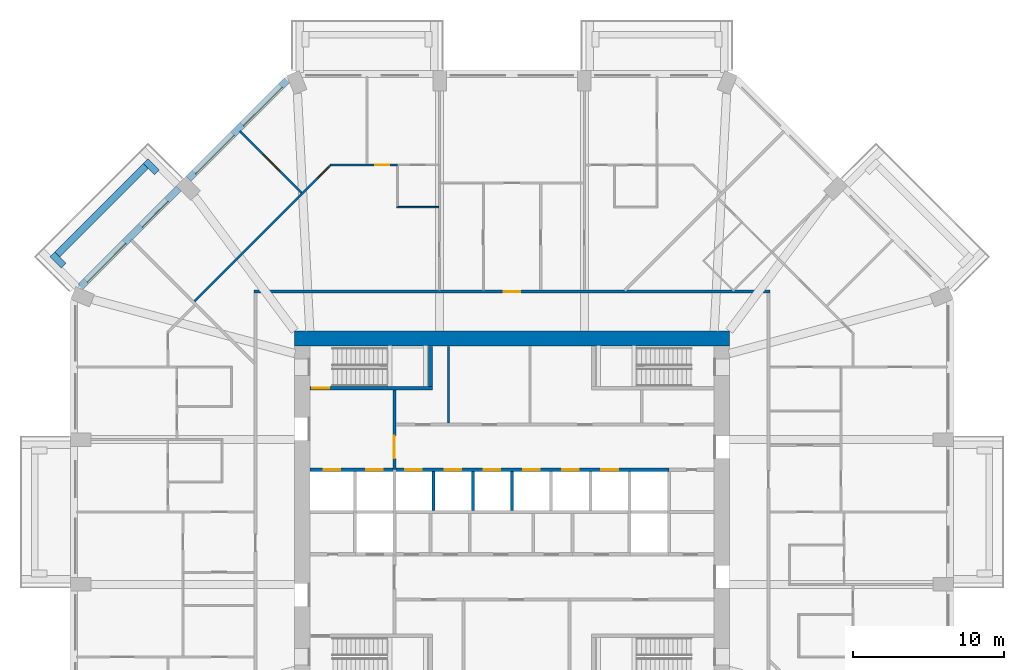
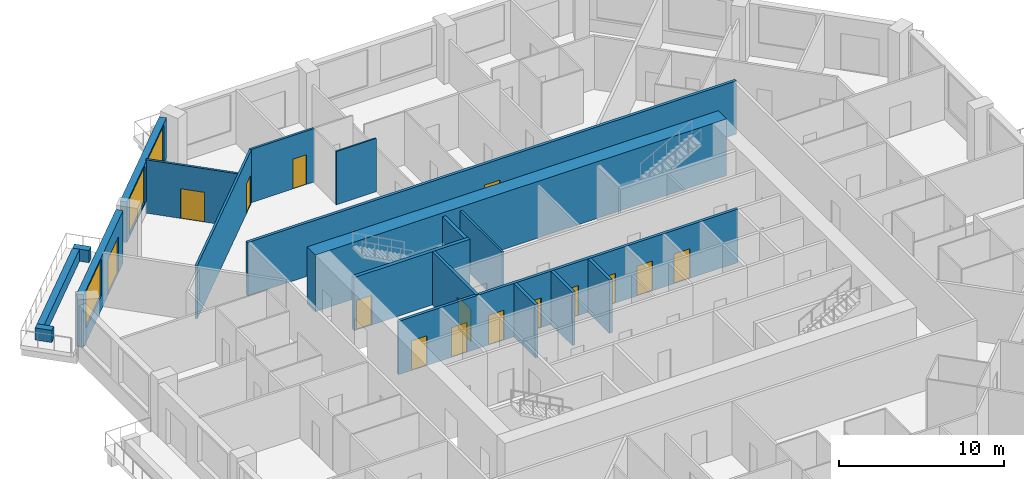
# One storey, part 8 of 13: 19 walls, 15 doors, 3 windows, 18 openings.
"""IFC4 building model written with IfcOpenShell, lengths in metres."""

from ifc_helpers import new_model, si_unit, direction, frame, frame_2d, origin, place, context, subcontext, project, spatial, rectangle, extrude, material, layer, layer_set, type_object, element, fill, save


model = new_model("IFC4")

# Units and contexts
model_context = context("Model", 3, precision=1e-05, world=origin(), true_north=direction((0.0, 1.0)))
body_context = subcontext(model_context, "Body", "Model", "MODEL_VIEW")
ifc_project = project(units=[si_unit("LENGTHUNIT", "METRE"), si_unit("AREAUNIT", "SQUARE_METRE"), si_unit("VOLUMEUNIT", "CUBIC_METRE"), si_unit("PLANEANGLEUNIT", "RADIAN"), si_unit("MASSUNIT", "GRAM", prefix="KILO")], contexts=[model_context])

# Site, building, storey
site_placement = place(None, origin())
site = spatial("IfcSite", under=ifc_project, at=site_placement, CompositionType="ELEMENT")
building_placement = place(site_placement, origin())
building = spatial("IfcBuilding", under=site, at=building_placement, Name="Msitu Wima Residences", CompositionType="ELEMENT")
storey_placement = place(building_placement, frame((0.0, 0.0, 71.699951171875)))
storey = spatial("IfcBuildingStorey", under=building, at=storey_placement, Name="L16", CompositionType="ELEMENT", Elevation=71.699951171875)

# Walls
ifc_material_1 = material(Name="Facing brick")
ifc_layer_1 = layer(ifc_material_1, 0.06494140625, Name="Facing brick")
ifc_material_2 = material(Name="Concrete C40/50", Category="concrete")
ifc_layer_2 = layer(ifc_material_2, 0.156005859375, Name="Concrete C40/50")
ifc_material_3 = material(Name="Waterproofing membrane")
ifc_layer_3 = layer(ifc_material_3, 0.00390625, Name="Waterproofing membrane")
ifc_material_4 = material(Name="Planting soil and planting")
ifc_layer_4 = layer(ifc_material_4, 0.22509765625, Name="Planting soil and planting")
ifc_layer_set_1 = layer_set([ifc_layer_1, ifc_layer_2, ifc_layer_3, ifc_layer_4], Name="Concrete C40/50")
wall_type_1 = type_object("IfcWallType", Name="Balcony planter PLANTER PL450", PredefinedType="USERDEFINED", material=ifc_layer_set_1)
wall_1_placement = place(storey_placement, frame((-24.269287109375, 22.92578125, 0.0), z_axis=(0.0, 0.0, 1.0), x_axis=(-0.707106781187, -0.707106781187, 0.0)))
element("IfcWall", 1, at=wall_1_placement, inside=storey, type_object=wall_type_1, Name="Balcony planter NW1 L16", ObjectType="PLANTER", PredefinedType="USERDEFINED", context=body_context, shape_type="SweptSolid", body=[
    extrude(rectangle(XDim=8.2822265625, YDim=0.449951171875, at=frame_2d((4.14111328125, 0.0))), origin(), (0.0, 0.0, 1.0), 0.900146484375),
])
for number, where, z_axis, x_axis, name in (
    (2, (-23.52685546875, 22.50146484375, 0.0), (0.0, 0.0, 1.0), (-0.706990528533, 0.707223014731, 0.0), "Balcony planter NW1 L16"),
    (3, (-29.70166015625, 16.326904296875, 0.0), (0.0, 0.0, 1.0), (-0.707106781187, 0.707106781187, 0.0), "Balcony planter NW1 L16"),
):
    element("IfcWall", number, at=place(storey_placement, frame(where, z_axis=z_axis, x_axis=x_axis)), inside=storey, type_object=wall_type_1, Name=name, ObjectType="PLANTER", PredefinedType="USERDEFINED", context=body_context, shape_type="SweptSolid", body=[
        extrude(rectangle(XDim=1.050048828125, YDim=0.449951171875, at=frame_2d((0.52490234375, 0.0))), origin(), (0.0, 0.0, 1.0), 0.900146484375),
    ])

# Wall, openings, windows
ifc_material_5 = material(Name="Brick (red buff mix)", Category="masonry")
ifc_layer_5 = layer(ifc_material_5, 0.449951171875)
ifc_layer_set_2 = layer_set([ifc_layer_5], Name="Brick (red buff mix)")
wall_type_2 = type_object("IfcWallType", Name="Brick infill wall BW450", PredefinedType="SOLIDWALL", material=ifc_layer_set_2)
wall_2_placement = place(storey_placement, frame((-14.903564453125, 28.61474609375, 0.900146484375), z_axis=(0.0, 0.0, 1.0), x_axis=(-0.707106781187, -0.707106781187, 0.0)))
wall_2 = element("IfcWall", 4, at=wall_2_placement, inside=storey, type_object=wall_type_2, Name="Brick infill wall L16 NW0", PredefinedType="SOLIDWALL", context=body_context, shape_type="SweptSolid", body=[
    extrude(rectangle(XDim=9.2451171875, YDim=0.449951171875, at=frame_2d((4.62255859375, 0.0))), origin(), (0.0, 0.0, 1.0), 3.0),
])
opening_1_placement = place(wall_2_placement, frame((0.572509765625, 0.0, 0.14990234375)))
opening_1 = element("IfcOpeningElement", 5, at=opening_1_placement, cuts=wall_2, Name="Opening W16-17.013", PredefinedType="OPENING", context=body_context, shape_type="SweptSolid", body=[
    extrude(rectangle(XDim=3.60009765625, YDim=2.699951171875, at=frame_2d((1.800048828125, 1.35009765625))), frame((0.0, 0.23486328125, 0.0), z_axis=(0.0, -1.0, 0.0), x_axis=(1.0, 0.0, 0.0)), (0.0, 0.0, 1.0), 0.469970703125),
])
opening_2_placement = place(wall_2_placement, frame((5.072509765625, 0.0, 0.14990234375)))
opening_2 = element("IfcOpeningElement", 6, at=opening_2_placement, cuts=wall_2, Name="Opening W16-17.014", PredefinedType="OPENING", context=body_context, shape_type="SweptSolid", body=[
    extrude(rectangle(XDim=3.60009765625, YDim=2.699951171875, at=frame_2d((1.800048828125, 1.35009765625))), frame((0.0, 0.23486328125, 0.0), z_axis=(0.0, -1.0, 0.0), x_axis=(1.0, 0.0, 0.0)), (0.0, 0.0, 1.0), 0.469970703125),
])
ifc_material_6 = material(Name="Anodised aluminium, bronze finish, clear low-emissivity double glazing", Category="aluminium")
window_type = type_object("IfcWindowType", Name="Window W3600x2700", PartitioningType="DOUBLE_PANEL_VERTICAL", PredefinedType="WINDOW", material=ifc_material_6)
window_1_placement = place(opening_1_placement, origin())
window_1 = element("IfcWindow", 7, at=window_1_placement, inside=storey, type_object=window_type, Name="Window L16 NW0.1", OverallHeight=2.699951171875, OverallWidth=3.60009765625, PartitioningType="SINGLE_PANEL", PredefinedType="WINDOW", context=body_context, shape_type="SweptSolid", body=[
    extrude(rectangle(XDim=3.60009765625, YDim=2.699951171875, at=frame_2d((1.800048828125, 1.35009765625))), frame((0.0, 0.135009765625, 0.0), z_axis=(0.0, -1.0, 0.0), x_axis=(1.0, 0.0, 0.0)), (0.0, 0.0, 1.0), 0.06005859375),
])
fill(opening_1, window_1)
window_2_placement = place(opening_2_placement, origin())
window_2 = element("IfcWindow", 8, at=window_2_placement, inside=storey, type_object=window_type, Name="Window L16 NW0.2", OverallHeight=2.699951171875, OverallWidth=3.60009765625, PartitioningType="SINGLE_PANEL", PredefinedType="WINDOW", context=body_context, shape_type="SweptSolid", body=[
    extrude(rectangle(XDim=3.60009765625, YDim=2.699951171875, at=frame_2d((1.800048828125, 1.35009765625))), frame((0.0, 0.135009765625, 0.0), z_axis=(0.0, -1.0, 0.0), x_axis=(1.0, 0.0, 0.0)), (0.0, 0.0, 1.0), 0.06005859375),
])
fill(opening_2, window_2)

# Wall, openings, door, window
wall_3_placement = place(storey_placement, frame((-22.077392578125, 21.44091796875, 0.0), z_axis=(0.0, 0.0, 1.0), x_axis=(-0.707106781187, -0.707106781187, 0.0)))
wall_3 = element("IfcWall", 9, at=wall_3_placement, inside=storey, type_object=wall_type_2, Name="Brick infill wall L16 NW1", PredefinedType="SOLIDWALL", context=body_context, shape_type="SweptSolid", body=[
    extrude(rectangle(XDim=9.2451171875, YDim=0.449951171875, at=frame_2d((4.62255859375, 0.0))), origin(), (0.0, 0.0, 1.0), 3.900146484375),
])
opening_3_placement = place(wall_3_placement, frame((1.111328125, 0.0, 0.0)))
opening_3 = element("IfcOpeningElement", 10, at=opening_3_placement, cuts=wall_3, Name="Opening D16-17.005", PredefinedType="OPENING", context=body_context, shape_type="SweptSolid", body=[
    extrude(rectangle(XDim=2.39990234375, YDim=2.699951171875, at=frame_2d((1.199951171875, 1.35009765625))), frame((0.0, 0.23486328125, 0.0), z_axis=(0.0, -1.0, 0.0), x_axis=(1.0, 0.0, 0.0)), (0.0, 0.0, 1.0), 0.469970703125),
])
opening_4_placement = place(wall_3_placement, frame((5.072509765625, 0.0, 1.050048828125)))
opening_4 = element("IfcOpeningElement", 11, at=opening_4_placement, cuts=wall_3, Name="Opening W16-17.015", PredefinedType="OPENING", context=body_context, shape_type="SweptSolid", body=[
    extrude(rectangle(XDim=3.60009765625, YDim=2.699951171875, at=frame_2d((1.800048828125, 1.35009765625))), frame((0.0, 0.23486328125, 0.0), z_axis=(0.0, -1.0, 0.0), x_axis=(1.0, 0.0, 0.0)), (0.0, 0.0, 1.0), 0.469970703125),
])
door_type_1 = type_object("IfcDoorType", Name="Balcony door D2400x2700", OperationType="SLIDING_TO_LEFT", PredefinedType="DOOR", material=ifc_material_6)
door_1_placement = place(opening_3_placement, origin())
door_1 = element("IfcDoor", 12, at=door_1_placement, inside=storey, type_object=door_type_1, Name="Balcony door L16 NW1", OperationType="SINGLE_SWING_LEFT", OverallHeight=2.699951171875, OverallWidth=2.39990234375, PredefinedType="DOOR", context=body_context, shape_type="SweptSolid", body=[
    extrude(rectangle(XDim=2.39990234375, YDim=2.699951171875, at=frame_2d((1.199951171875, 1.35009765625))), frame((0.0, 0.1298828125, 0.0), z_axis=(0.0, -1.0, 0.0), x_axis=(1.0, 0.0, 0.0)), (0.0, 0.0, 1.0), 0.050048828125),
])
fill(opening_3, door_1)
window_3_placement = place(opening_4_placement, origin())
window_3 = element("IfcWindow", 13, at=window_3_placement, inside=storey, type_object=window_type, Name="Window L16 NW1.2", OverallHeight=2.699951171875, OverallWidth=3.60009765625, PartitioningType="SINGLE_PANEL", PredefinedType="WINDOW", context=body_context, shape_type="SweptSolid", body=[
    extrude(rectangle(XDim=3.60009765625, YDim=2.699951171875, at=frame_2d((1.800048828125, 1.35009765625))), frame((0.0, 0.135009765625, 0.0), z_axis=(0.0, -1.0, 0.0), x_axis=(1.0, 0.0, 0.0)), (0.0, 0.0, 1.0), 0.06005859375),
])
fill(opening_4, window_3)

# Wall
ifc_material_7 = material(Name="Concrete C80/95", Category="concrete")
ifc_layer_6 = layer(ifc_material_7, 1.0)
ifc_layer_set_3 = layer_set([ifc_layer_6], Name="Concrete C80/95")
wall_type_3 = type_object("IfcWallType", Name="Core wall CW1000 C80/95", PredefinedType="SHEAR", material=ifc_layer_set_3)
wall_4_placement = place(storey_placement, frame((-14.39990234375, 11.5, 0.0), z_axis=(0.0, 0.0, 1.0), x_axis=(1.0, 0.0, 0.0)))
element("IfcWall", 14, at=wall_4_placement, inside=storey, type_object=wall_type_3, Name="Core wall", PredefinedType="SHEAR", context=body_context, shape_type="SweptSolid", body=[
    extrude(rectangle(XDim=28.7998046875, YDim=1.0, at=frame_2d((14.39990234375, 0.0))), origin(), (0.0, 0.0, 1.0), 4.199951171875),
])

# Wall, opening, door
ifc_material_8 = material(Name="Plaster")
ifc_layer_7 = layer(ifc_material_8, 0.011962890625, Name="Plaster")
ifc_material_9 = material(Name="Concrete blockwork", Category="masonry")
ifc_layer_8 = layer(ifc_material_9, 0.176025390625, Name="Concrete blockwork")
ifc_layer_9 = layer(ifc_material_8, 0.011962890625, Name="Plaster")
ifc_layer_set_4 = layer_set([ifc_layer_7, ifc_layer_8, ifc_layer_9], Name="Concrete blockwork")
wall_type_4 = type_object("IfcWallType", Name="Corridor wall FW200", PredefinedType="PARTITIONING", material=ifc_layer_set_4)
wall_5_placement = place(storey_placement, frame((-17.10009765625, 14.60009765625, 0.0), z_axis=(0.0, 0.0, 1.0), x_axis=(1.0, 0.0, 0.0)))
wall_5 = element("IfcWall", 15, at=wall_5_placement, inside=storey, type_object=wall_type_4, Name="Corridor wall", PredefinedType="PARTITIONING", context=body_context, shape_type="SweptSolid", body=[
    extrude(rectangle(XDim=34.2001953125, YDim=0.199951171875, at=frame_2d((17.10009765625, 0.0))), origin(), (0.0, 0.0, 1.0), 3.949951171875),
])
opening_5_placement = place(wall_5_placement, frame((16.550048828125, 0.0, 0.0)))
opening_5 = element("IfcOpeningElement", 16, at=opening_5_placement, cuts=wall_5, Name="Opening D16-17.011", PredefinedType="OPENING", context=body_context, shape_type="SweptSolid", body=[
    extrude(rectangle(XDim=1.10009765625, YDim=2.39990234375, at=frame_2d((0.550048828125, 1.199951171875))), frame((0.0, 0.10986328125, 0.0), z_axis=(0.0, -1.0, 0.0), x_axis=(1.0, 0.0, 0.0)), (0.0, 0.0, 1.0), 0.219970703125),
])
ifc_material_10 = material(Name="Timber flush door, fire resisting, self-closing", Category="wood")
door_type_2 = type_object("IfcDoorType", Name="Flat entrance door D01 1100x2400", OperationType="SINGLE_SWING_LEFT", PredefinedType="DOOR", material=ifc_material_10)
door_2_placement = place(opening_5_placement, origin())
door_2 = element("IfcDoor", 17, at=door_2_placement, inside=storey, type_object=door_type_2, Name="Flat entrance door", OperationType="SINGLE_SWING_RIGHT", OverallHeight=2.39990234375, OverallWidth=1.10009765625, PredefinedType="DOOR", context=body_context, shape_type="SweptSolid", body=[
    extrude(rectangle(XDim=1.10009765625, YDim=2.39990234375, at=frame_2d((0.550048828125, 1.199951171875))), frame((0.0, 0.02490234375, 0.0), z_axis=(0.0, -1.0, 0.0), x_axis=(1.0, 0.0, 0.0)), (0.0, 0.0, 1.0), 0.050048828125),
])
fill(opening_5, door_2)

wall_6_placement = place(storey_placement, frame((-7.800048828125, 2.800048828125, 0.0), z_axis=(0.0, 0.0, 1.0), x_axis=(0.0, 1.0, 0.0)))
wall_6 = element("IfcWall", 18, at=wall_6_placement, inside=storey, type_object=wall_type_4, Name="Corridor wall", PredefinedType="PARTITIONING", context=body_context, shape_type="SweptSolid", body=[
    extrude(rectangle(XDim=5.27490234375, YDim=0.199951171875, at=frame_2d((2.637451171875, 0.0))), origin(), (0.0, 0.0, 1.0), 3.949951171875),
])
opening_6_placement = place(wall_6_placement, frame((0.75, 0.0, 0.0)))
opening_6 = element("IfcOpeningElement", 19, at=opening_6_placement, cuts=wall_6, Name="Opening D16-17.017", PredefinedType="OPENING", context=body_context, shape_type="SweptSolid", body=[
    extrude(rectangle(XDim=1.5, YDim=2.39990234375, at=frame_2d((0.75, 1.199951171875))), frame((0.0, 0.10986328125, 0.0), z_axis=(0.0, -1.0, 0.0), x_axis=(1.0, 0.0, 0.0)), (0.0, 0.0, 1.0), 0.219970703125),
])
ifc_material_11 = material(Name="Steel framed glazed door, fire resisting", Category="steel")
door_type_3 = type_object("IfcDoorType", Name="Lobby door D07 1500x2400", OperationType="DOUBLE_DOOR_SINGLE_SWING", PredefinedType="DOOR", material=ifc_material_11)
door_3_placement = place(opening_6_placement, origin())
door_3 = element("IfcDoor", 20, at=door_3_placement, inside=storey, type_object=door_type_3, Name="Lobby door", OperationType="DOUBLE_DOOR_SINGLE_SWING", OverallHeight=2.39990234375, OverallWidth=1.5, PredefinedType="DOOR", context=body_context, shape_type="SweptSolid", body=[
    extrude(rectangle(XDim=1.5, YDim=2.39990234375, at=frame_2d((0.75, 1.199951171875))), frame((0.0, 0.02490234375, 0.0), z_axis=(0.0, -1.0, 0.0), x_axis=(1.0, 0.0, 0.0)), (0.0, 0.0, 1.0), 0.050048828125),
])
fill(opening_6, door_3)

ifc_layer_10 = layer(ifc_material_8, 0.011962890625, Name="Plaster")
ifc_layer_11 = layer(ifc_material_9, 0.1259765625, Name="Concrete blockwork")
ifc_layer_12 = layer(ifc_material_8, 0.011962890625, Name="Plaster")
ifc_layer_set_5 = layer_set([ifc_layer_10, ifc_layer_11, ifc_layer_12], Name="Concrete blockwork")
wall_type_5 = type_object("IfcWallType", Name="Partition PW150", PredefinedType="PARTITIONING", material=ifc_layer_set_5)
wall_7_placement = place(storey_placement, frame((-21.028076171875, 13.969482421875, 0.0), z_axis=(0.0, 0.0, 1.0), x_axis=(0.707106781187, 0.707106781187, 0.0)))
wall_7 = element("IfcWall", 21, at=wall_7_placement, inside=storey, type_object=wall_type_5, Name="Partition", PredefinedType="PARTITIONING", context=body_context, shape_type="SweptSolid", body=[
    extrude(rectangle(XDim=12.696044921875, YDim=0.14990234375, at=frame_2d((6.34814453125, 0.0))), origin(), (0.0, 0.0, 1.0), 3.949951171875),
])
opening_7_placement = place(wall_7_placement, frame((11.550048828125, 0.0, 0.0)))
opening_7 = element("IfcOpeningElement", 22, at=opening_7_placement, cuts=wall_7, Name="Opening D16-17.044", PredefinedType="OPENING", context=body_context, shape_type="SweptSolid", body=[
    extrude(rectangle(XDim=0.949951171875, YDim=2.199951171875, at=frame_2d((0.47509765625, 1.10009765625))), frame((0.0, 0.0849609375, 0.0), z_axis=(0.0, -1.0, 0.0), x_axis=(1.0, 0.0, 0.0)), (0.0, 0.0, 1.0), 0.169921875),
])
ifc_material_12 = material(Name="Timber flush door", Category="wood")
door_type_4 = type_object("IfcDoorType", Name="Room door D12 950x2200", OperationType="SINGLE_SWING_LEFT", PredefinedType="DOOR", material=ifc_material_12)
door_4_placement = place(opening_7_placement, origin())
door_4 = element("IfcDoor", 23, at=door_4_placement, inside=storey, type_object=door_type_4, Name="Room door", OperationType="SINGLE_SWING_LEFT", OverallHeight=2.199951171875, OverallWidth=0.949951171875, PredefinedType="DOOR", context=body_context, shape_type="SweptSolid", body=[
    extrude(rectangle(XDim=0.949951171875, YDim=2.199951171875, at=frame_2d((0.47509765625, 1.10009765625))), frame((0.0, 0.02490234375, 0.0), z_axis=(0.0, -1.0, 0.0), x_axis=(1.0, 0.0, 0.0)), (0.0, 0.0, 1.0), 0.050048828125),
])
fill(opening_7, door_4)

wall_8_placement = place(storey_placement, frame((-18.038818359375, 25.23876953125, 0.0), z_axis=(0.0, 0.0, 1.0), x_axis=(0.707106781187, -0.707106781187, 0.0)))
wall_8 = element("IfcWall", 24, at=wall_8_placement, inside=storey, type_object=wall_type_5, Name="Partition", PredefinedType="PARTITIONING", context=body_context, shape_type="SweptSolid", body=[
    extrude(rectangle(XDim=5.77978515625, YDim=0.14990234375, at=frame_2d((2.889892578125, 0.0))), origin(), (0.0, 0.0, 1.0), 3.949951171875),
])
opening_8_placement = place(wall_8_placement, frame((2.199951171875, 0.0, 0.0)))
opening_8 = element("IfcOpeningElement", 25, at=opening_8_placement, cuts=wall_8, Name="Opening D16-17.045", PredefinedType="OPENING", context=body_context, shape_type="SweptSolid", body=[
    extrude(rectangle(XDim=1.5, YDim=2.199951171875, at=frame_2d((0.75, 1.10009765625))), frame((0.0, 0.0849609375, 0.0), z_axis=(0.0, -1.0, 0.0), x_axis=(1.0, 0.0, 0.0)), (0.0, 0.0, 1.0), 0.169921875),
])
ifc_material_13 = material(Name="Timber double door", Category="wood")
door_type_5 = type_object("IfcDoorType", Name="Double door D04 1500x2200", OperationType="DOUBLE_DOOR_SINGLE_SWING", PredefinedType="DOOR", material=ifc_material_13)
door_5_placement = place(opening_8_placement, origin())
door_5 = element("IfcDoor", 26, at=door_5_placement, inside=storey, type_object=door_type_5, Name="Double door", OperationType="DOUBLE_DOOR_SINGLE_SWING", OverallHeight=2.199951171875, OverallWidth=1.5, PredefinedType="DOOR", context=body_context, shape_type="SweptSolid", body=[
    extrude(rectangle(XDim=1.5, YDim=2.199951171875, at=frame_2d((0.75, 1.10009765625))), frame((0.0, 0.02490234375, 0.0), z_axis=(0.0, -1.0, 0.0), x_axis=(1.0, 0.0, 0.0)), (0.0, 0.0, 1.0), 0.050048828125),
])
fill(opening_8, door_5)

wall_9_placement = place(storey_placement, frame((-12.072509765625, 23.0, 0.0), z_axis=(0.0, 0.0, 1.0), x_axis=(1.0, 0.0, 0.0)))
wall_9 = element("IfcWall", 27, at=wall_9_placement, inside=storey, type_object=wall_type_5, Name="Partition", PredefinedType="PARTITIONING", context=body_context, shape_type="SweptSolid", body=[
    extrude(rectangle(XDim=4.492431640625, YDim=0.14990234375, at=frame_2d((2.24609375, 0.0))), origin(), (0.0, 0.0, 1.0), 3.949951171875),
])
opening_9_placement = place(wall_9_placement, frame((3.0, 0.0, 0.0)))
opening_9 = element("IfcOpeningElement", 28, at=opening_9_placement, cuts=wall_9, Name="Opening D16-17.086", PredefinedType="OPENING", context=body_context, shape_type="SweptSolid", body=[
    extrude(rectangle(XDim=0.949951171875, YDim=2.199951171875, at=frame_2d((0.47509765625, 1.10009765625))), frame((0.0, 0.0849609375, 0.0), z_axis=(0.0, -1.0, 0.0), x_axis=(1.0, 0.0, 0.0)), (0.0, 0.0, 1.0), 0.169921875),
])
door_6_placement = place(opening_9_placement, origin())
door_6 = element("IfcDoor", 29, at=door_6_placement, inside=storey, type_object=door_type_4, Name="Room door", OperationType="SINGLE_SWING_LEFT", OverallHeight=2.199951171875, OverallWidth=0.949951171875, PredefinedType="DOOR", context=body_context, shape_type="SweptSolid", body=[
    extrude(rectangle(XDim=0.949951171875, YDim=2.199951171875, at=frame_2d((0.47509765625, 1.10009765625))), frame((0.0, 0.02490234375, 0.0), z_axis=(0.0, -1.0, 0.0), x_axis=(1.0, 0.0, 0.0)), (0.0, 0.0, 1.0), 0.050048828125),
])
fill(opening_9, door_6)

# Wall
wall_10_placement = place(storey_placement, frame((-4.199951171875, 5.89990234375, 0.0), z_axis=(0.0, 0.0, 1.0), x_axis=(0.0, 1.0, 0.0)))
element("IfcWall", 30, at=wall_10_placement, inside=storey, type_object=wall_type_5, Name="Partition", PredefinedType="PARTITIONING", context=body_context, shape_type="SweptSolid", body=[
    extrude(rectangle(XDim=5.070068359375, YDim=0.14990234375, at=frame_2d((2.53515625, 0.0))), origin(), (0.0, 0.0, 1.0), 3.949951171875),
])

# Wall, openings, doors
ifc_material_14 = material(Name="Fire-rated board")
ifc_layer_13 = layer(ifc_material_14, 0.02490234375, Name="Fire-rated board")
ifc_material_15 = material(Name="Light-gauge stud framing with mineral wool")
ifc_layer_14 = layer(ifc_material_15, 0.14990234375, Name="Light-gauge stud framing with mineral wool")
ifc_layer_15 = layer(ifc_material_14, 0.02490234375, Name="Fire-rated board")
ifc_layer_set_6 = layer_set([ifc_layer_13, ifc_layer_14, ifc_layer_15], Name="Light-gauge stud framing with mineral wool")
wall_type_6 = type_object("IfcWallType", Name="Shaft wall SH200", PredefinedType="PARTITIONING", material=ifc_layer_set_6)
wall_11_placement = place(storey_placement, frame((-13.3701171875, 2.800048828125, 0.0), z_axis=(0.0, 0.0, 1.0), x_axis=(1.0, 0.0, 0.0)))
wall_11 = element("IfcWall", 31, at=wall_11_placement, inside=storey, type_object=wall_type_6, Name="Shaft wall", PredefinedType="PARTITIONING", context=body_context, shape_type="SweptSolid", body=[
    extrude(rectangle(XDim=23.77001953125, YDim=0.199951171875, at=frame_2d((11.885009765625, 0.0))), origin(), (0.0, 0.0, 1.0), 3.949951171875),
])
opening_10_placement = place(wall_11_placement, frame((0.89990234375, 0.0, 0.0)))
opening_10 = element("IfcOpeningElement", 32, at=opening_10_placement, cuts=wall_11, Name="Opening LD", PredefinedType="OPENING", context=body_context, shape_type="SweptSolid", body=[
    extrude(rectangle(XDim=1.10009765625, YDim=2.199951171875, at=frame_2d((0.550048828125, 1.10009765625))), frame((0.0, 0.10986328125, 0.0), z_axis=(0.0, -1.0, 0.0), x_axis=(1.0, 0.0, 0.0)), (0.0, 0.0, 1.0), 0.219970703125),
])
opening_11_placement = place(wall_11_placement, frame((3.699951171875, 0.0, 0.0)))
opening_11 = element("IfcOpeningElement", 33, at=opening_11_placement, cuts=wall_11, Name="Opening LD", PredefinedType="OPENING", context=body_context, shape_type="SweptSolid", body=[
    extrude(rectangle(XDim=1.10009765625, YDim=2.199951171875, at=frame_2d((0.550048828125, 1.10009765625))), frame((0.0, 0.10986328125, 0.0), z_axis=(0.0, -1.0, 0.0), x_axis=(1.0, 0.0, 0.0)), (0.0, 0.0, 1.0), 0.219970703125),
])
opening_12_placement = place(wall_11_placement, frame((6.300048828125, 0.0, 0.0)))
opening_12 = element("IfcOpeningElement", 34, at=opening_12_placement, cuts=wall_11, Name="Opening LD", PredefinedType="OPENING", context=body_context, shape_type="SweptSolid", body=[
    extrude(rectangle(XDim=1.10009765625, YDim=2.199951171875, at=frame_2d((0.550048828125, 1.10009765625))), frame((0.0, 0.10986328125, 0.0), z_axis=(0.0, -1.0, 0.0), x_axis=(1.0, 0.0, 0.0)), (0.0, 0.0, 1.0), 0.219970703125),
])
opening_13_placement = place(wall_11_placement, frame((8.89990234375, 0.0, 0.0)))
opening_13 = element("IfcOpeningElement", 35, at=opening_13_placement, cuts=wall_11, Name="Opening LD", PredefinedType="OPENING", context=body_context, shape_type="SweptSolid", body=[
    extrude(rectangle(XDim=1.10009765625, YDim=2.199951171875, at=frame_2d((0.550048828125, 1.10009765625))), frame((0.0, 0.10986328125, 0.0), z_axis=(0.0, -1.0, 0.0), x_axis=(1.0, 0.0, 0.0)), (0.0, 0.0, 1.0), 0.219970703125),
])
opening_14_placement = place(wall_11_placement, frame((11.5, 0.0, 0.0)))
opening_14 = element("IfcOpeningElement", 36, at=opening_14_placement, cuts=wall_11, Name="Opening LD", PredefinedType="OPENING", context=body_context, shape_type="SweptSolid", body=[
    extrude(rectangle(XDim=1.10009765625, YDim=2.199951171875, at=frame_2d((0.550048828125, 1.10009765625))), frame((0.0, 0.10986328125, 0.0), z_axis=(0.0, -1.0, 0.0), x_axis=(1.0, 0.0, 0.0)), (0.0, 0.0, 1.0), 0.219970703125),
])
opening_15_placement = place(wall_11_placement, frame((14.10009765625, 0.0, 0.0)))
opening_15 = element("IfcOpeningElement", 37, at=opening_15_placement, cuts=wall_11, Name="Opening LD", PredefinedType="OPENING", context=body_context, shape_type="SweptSolid", body=[
    extrude(rectangle(XDim=1.10009765625, YDim=2.199951171875, at=frame_2d((0.550048828125, 1.10009765625))), frame((0.0, 0.10986328125, 0.0), z_axis=(0.0, -1.0, 0.0), x_axis=(1.0, 0.0, 0.0)), (0.0, 0.0, 1.0), 0.219970703125),
])
opening_16_placement = place(wall_11_placement, frame((16.699951171875, 0.0, 0.0)))
opening_16 = element("IfcOpeningElement", 38, at=opening_16_placement, cuts=wall_11, Name="Opening LD", PredefinedType="OPENING", context=body_context, shape_type="SweptSolid", body=[
    extrude(rectangle(XDim=1.10009765625, YDim=2.199951171875, at=frame_2d((0.550048828125, 1.10009765625))), frame((0.0, 0.10986328125, 0.0), z_axis=(0.0, -1.0, 0.0), x_axis=(1.0, 0.0, 0.0)), (0.0, 0.0, 1.0), 0.219970703125),
])
opening_17_placement = place(wall_11_placement, frame((19.300048828125, 0.0, 0.0)))
opening_17 = element("IfcOpeningElement", 39, at=opening_17_placement, cuts=wall_11, Name="Opening LD", PredefinedType="OPENING", context=body_context, shape_type="SweptSolid", body=[
    extrude(rectangle(XDim=1.10009765625, YDim=2.199951171875, at=frame_2d((0.550048828125, 1.10009765625))), frame((0.0, 0.10986328125, 0.0), z_axis=(0.0, -1.0, 0.0), x_axis=(1.0, 0.0, 0.0)), (0.0, 0.0, 1.0), 0.219970703125),
])
ifc_material_16 = material(Name="Stainless steel centre-opening landing door, rated", Category="steel")
door_type_6 = type_object("IfcDoorType", Name="Lift landing door LD 1100x2200", OperationType="DOUBLE_DOOR_SLIDING", PredefinedType="DOOR", material=ifc_material_16)
door_7_placement = place(opening_10_placement, origin())
door_7 = element("IfcDoor", 40, at=door_7_placement, inside=storey, type_object=door_type_6, Name="Lift landing door LD1", OperationType="DOUBLE_DOOR_SLIDING", OverallHeight=2.199951171875, OverallWidth=1.10009765625, PredefinedType="DOOR", context=body_context, shape_type="SweptSolid", body=[
    extrude(rectangle(XDim=1.10009765625, YDim=2.199951171875, at=frame_2d((0.550048828125, 1.10009765625))), frame((0.0, 0.02490234375, 0.0), z_axis=(0.0, -1.0, 0.0), x_axis=(1.0, 0.0, 0.0)), (0.0, 0.0, 1.0), 0.050048828125),
])
fill(opening_10, door_7)
door_8_placement = place(opening_11_placement, origin())
door_8 = element("IfcDoor", 41, at=door_8_placement, inside=storey, type_object=door_type_6, Name="Lift landing door LD2", OperationType="DOUBLE_DOOR_SLIDING", OverallHeight=2.199951171875, OverallWidth=1.10009765625, PredefinedType="DOOR", context=body_context, shape_type="SweptSolid", body=[
    extrude(rectangle(XDim=1.10009765625, YDim=2.199951171875, at=frame_2d((0.550048828125, 1.10009765625))), frame((0.0, 0.02490234375, 0.0), z_axis=(0.0, -1.0, 0.0), x_axis=(1.0, 0.0, 0.0)), (0.0, 0.0, 1.0), 0.050048828125),
])
fill(opening_11, door_8)
door_9_placement = place(opening_12_placement, origin())
door_9 = element("IfcDoor", 42, at=door_9_placement, inside=storey, type_object=door_type_6, Name="Lift landing door LD4", OperationType="DOUBLE_DOOR_SLIDING", OverallHeight=2.199951171875, OverallWidth=1.10009765625, PredefinedType="DOOR", context=body_context, shape_type="SweptSolid", body=[
    extrude(rectangle(XDim=1.10009765625, YDim=2.199951171875, at=frame_2d((0.550048828125, 1.10009765625))), frame((0.0, 0.02490234375, 0.0), z_axis=(0.0, -1.0, 0.0), x_axis=(1.0, 0.0, 0.0)), (0.0, 0.0, 1.0), 0.050048828125),
])
fill(opening_12, door_9)
door_10_placement = place(opening_13_placement, origin())
door_10 = element("IfcDoor", 43, at=door_10_placement, inside=storey, type_object=door_type_6, Name="Lift landing door LD6", OperationType="DOUBLE_DOOR_SLIDING", OverallHeight=2.199951171875, OverallWidth=1.10009765625, PredefinedType="DOOR", context=body_context, shape_type="SweptSolid", body=[
    extrude(rectangle(XDim=1.10009765625, YDim=2.199951171875, at=frame_2d((0.550048828125, 1.10009765625))), frame((0.0, 0.02490234375, 0.0), z_axis=(0.0, -1.0, 0.0), x_axis=(1.0, 0.0, 0.0)), (0.0, 0.0, 1.0), 0.050048828125),
])
fill(opening_13, door_10)
door_11_placement = place(opening_14_placement, origin())
door_11 = element("IfcDoor", 44, at=door_11_placement, inside=storey, type_object=door_type_6, Name="Lift landing door LD8", OperationType="DOUBLE_DOOR_SLIDING", OverallHeight=2.199951171875, OverallWidth=1.10009765625, PredefinedType="DOOR", context=body_context, shape_type="SweptSolid", body=[
    extrude(rectangle(XDim=1.10009765625, YDim=2.199951171875, at=frame_2d((0.550048828125, 1.10009765625))), frame((0.0, 0.02490234375, 0.0), z_axis=(0.0, -1.0, 0.0), x_axis=(1.0, 0.0, 0.0)), (0.0, 0.0, 1.0), 0.050048828125),
])
fill(opening_14, door_11)
door_12_placement = place(opening_15_placement, origin())
door_12 = element("IfcDoor", 45, at=door_12_placement, inside=storey, type_object=door_type_6, Name="Lift landing door LD10", OperationType="DOUBLE_DOOR_SLIDING", OverallHeight=2.199951171875, OverallWidth=1.10009765625, PredefinedType="DOOR", context=body_context, shape_type="SweptSolid", body=[
    extrude(rectangle(XDim=1.10009765625, YDim=2.199951171875, at=frame_2d((0.550048828125, 1.10009765625))), frame((0.0, 0.02490234375, 0.0), z_axis=(0.0, -1.0, 0.0), x_axis=(1.0, 0.0, 0.0)), (0.0, 0.0, 1.0), 0.050048828125),
])
fill(opening_15, door_12)
door_13_placement = place(opening_16_placement, origin())
door_13 = element("IfcDoor", 46, at=door_13_placement, inside=storey, type_object=door_type_6, Name="Lift landing door LD12", OperationType="DOUBLE_DOOR_SLIDING", OverallHeight=2.199951171875, OverallWidth=1.10009765625, PredefinedType="DOOR", context=body_context, shape_type="SweptSolid", body=[
    extrude(rectangle(XDim=1.10009765625, YDim=2.199951171875, at=frame_2d((0.550048828125, 1.10009765625))), frame((0.0, 0.02490234375, 0.0), z_axis=(0.0, -1.0, 0.0), x_axis=(1.0, 0.0, 0.0)), (0.0, 0.0, 1.0), 0.050048828125),
])
fill(opening_16, door_13)
door_14_placement = place(opening_17_placement, origin())
door_14 = element("IfcDoor", 47, at=door_14_placement, inside=storey, type_object=door_type_6, Name="Lift landing door LD14", OperationType="DOUBLE_DOOR_SLIDING", OverallHeight=2.199951171875, OverallWidth=1.10009765625, PredefinedType="DOOR", context=body_context, shape_type="SweptSolid", body=[
    extrude(rectangle(XDim=1.10009765625, YDim=2.199951171875, at=frame_2d((0.550048828125, 1.10009765625))), frame((0.0, 0.02490234375, 0.0), z_axis=(0.0, -1.0, 0.0), x_axis=(1.0, 0.0, 0.0)), (0.0, 0.0, 1.0), 0.050048828125),
])
fill(opening_17, door_14)

# Walls
for number, where, z_axis, x_axis, name in (
    (48, (-5.199951171875, 0.10009765625, 0.0), (0.0, 0.0, 1.0), (0.0, 1.0, 0.0), "Shaft wall"),
    (49, (-2.60009765625, 0.10009765625, 0.0), (0.0, 0.0, 1.0), (0.0, 1.0, 0.0), "Shaft wall"),
    (50, (0.0, 0.10009765625, 0.0), (0.0, 0.0, 1.0), (0.0, 1.0, 0.0), "Shaft wall"),
):
    element("IfcWall", number, at=place(storey_placement, frame(where, z_axis=z_axis, x_axis=x_axis)), inside=storey, type_object=wall_type_6, Name=name, PredefinedType="PARTITIONING", context=body_context, shape_type="SweptSolid", body=[
        extrude(rectangle(XDim=2.599853515625, YDim=0.199951171875, at=frame_2d((1.2998046875, 0.0))), origin(), (0.0, 0.0, 1.0), 3.949951171875),
    ])

# Wall, opening, door
ifc_material_17 = material(Name="Concrete C50/60", Category="concrete")
ifc_layer_16 = layer(ifc_material_17, 0.25)
ifc_layer_set_7 = layer_set([ifc_layer_16], Name="Concrete C50/60")
wall_type_7 = type_object("IfcWallType", Name="Stair enclosure wall SW250", PredefinedType="SHEAR", material=ifc_layer_set_7)
wall_12_placement = place(storey_placement, frame((-13.3701171875, 8.199951171875, 0.0), z_axis=(0.0, 0.0, 1.0), x_axis=(1.0, 0.0, 0.0)))
wall_12 = element("IfcWall", 51, at=wall_12_placement, inside=storey, type_object=wall_type_7, Name="Stair enclosure wall", PredefinedType="SHEAR", context=body_context, shape_type="SweptSolid", body=[
    extrude(rectangle(XDim=8.09521484375, YDim=0.25, at=frame_2d((4.047607421875, 0.0))), origin(), (0.0, 0.0, 1.0), 3.949951171875),
])
opening_18_placement = place(wall_12_placement, frame((0.14990234375, 0.0, 0.0)))
opening_18 = element("IfcOpeningElement", 52, at=opening_18_placement, cuts=wall_12, Name="Opening D16-17.037", PredefinedType="OPENING", context=body_context, shape_type="SweptSolid", body=[
    extrude(rectangle(XDim=1.10009765625, YDim=2.199951171875, at=frame_2d((0.550048828125, 1.10009765625))), frame((0.0, 0.135009765625, 0.0), z_axis=(0.0, -1.0, 0.0), x_axis=(1.0, 0.0, 0.0)), (0.0, 0.0, 1.0), 0.27001953125),
])
ifc_material_18 = material(Name="Steel door, fire resisting, panic bar", Category="steel")
door_type_7 = type_object("IfcDoorType", Name="Stair door D06 1100x2200", OperationType="SINGLE_SWING_LEFT", PredefinedType="DOOR", material=ifc_material_18)
door_15_placement = place(opening_18_placement, origin())
door_15 = element("IfcDoor", 53, at=door_15_placement, inside=storey, type_object=door_type_7, Name="Stair door", OperationType="SINGLE_SWING_LEFT", OverallHeight=2.199951171875, OverallWidth=1.10009765625, PredefinedType="DOOR", context=body_context, shape_type="SweptSolid", body=[
    extrude(rectangle(XDim=1.10009765625, YDim=2.199951171875, at=frame_2d((0.550048828125, 1.10009765625))), frame((0.0, 0.02490234375, 0.0), z_axis=(0.0, -1.0, 0.0), x_axis=(1.0, 0.0, 0.0)), (0.0, 0.0, 1.0), 0.050048828125),
])
fill(opening_18, door_15)

# Walls
wall_13_placement = place(storey_placement, frame((-5.39990234375, 8.324951171875, 0.0), z_axis=(0.0, 0.0, 1.0), x_axis=(0.0, 1.0, 0.0)))
element("IfcWall", 54, at=wall_13_placement, inside=storey, type_object=wall_type_7, Name="Stair enclosure wall", PredefinedType="SHEAR", context=body_context, shape_type="SweptSolid", body=[
    extrude(rectangle(XDim=2.64501953125, YDim=0.25, at=frame_2d((1.322509765625, 0.0))), origin(), (0.0, 0.0, 1.0), 3.949951171875),
])
ifc_material_19 = material(Name="Ceramic tiles")
ifc_layer_17 = layer(ifc_material_19, 0.008056640625, Name="Ceramic tiles")
ifc_material_20 = material(Name="Moisture-resistant board")
ifc_layer_18 = layer(ifc_material_20, 0.012451171875, Name="Moisture-resistant board")
ifc_layer_19 = layer(ifc_material_15, 0.06689453125, Name="Light-gauge stud framing with mineral wool")
ifc_layer_20 = layer(ifc_material_20, 0.012451171875, Name="Moisture-resistant board")
ifc_layer_set_8 = layer_set([ifc_layer_17, ifc_layer_18, ifc_layer_19, ifc_layer_20], Name="Light-gauge stud framing with mineral wool")
wall_type_8 = type_object("IfcWallType", Name="Wet wall PW100", PredefinedType="PARTITIONING", material=ifc_layer_set_8)
wall_14_placement = place(storey_placement, frame((-7.64990234375, 20.199951171875, 0.0), z_axis=(0.0, 0.0, 1.0), x_axis=(1.0, 0.0, 0.0)))
element("IfcWall", 55, at=wall_14_placement, inside=storey, type_object=wall_type_8, Name="Wet wall", PredefinedType="PARTITIONING", context=body_context, shape_type="SweptSolid", body=[
    extrude(rectangle(XDim=2.7998046875, YDim=0.10009765625, at=frame_2d((1.39990234375, 0.0))), origin(), (0.0, 0.0, 1.0), 3.949951171875),
])

save(model, "model.ifc")
